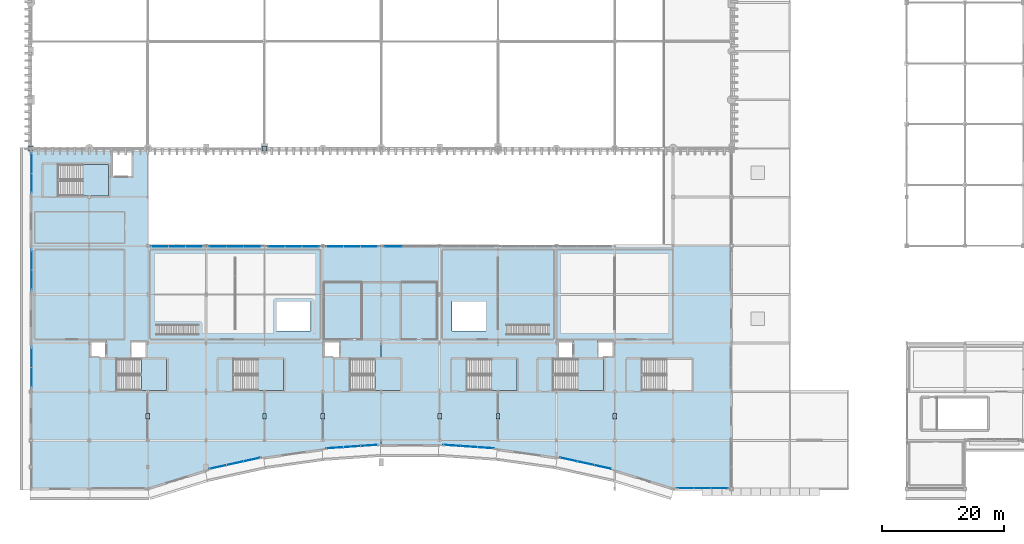
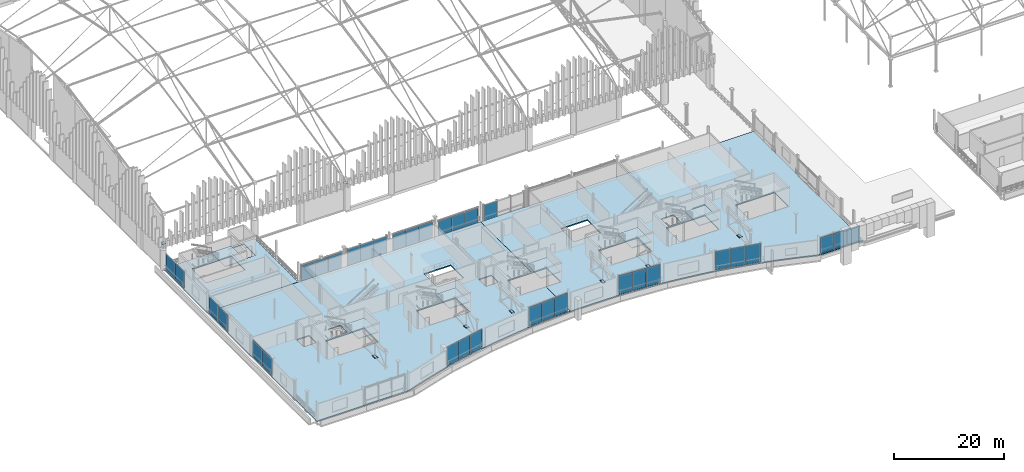
# One storey, part 145 of 193: 42 plates, 9 slabs, 19 elements without a shape of their own.
"""IFC4 building model written with IfcOpenShell, lengths in metres."""

from ifc_helpers import new_model, si_unit, direction, frame, origin, origin_2d, place, context, subcontext, project, spatial, polyline, rectangle, outline, extrude, material, layer, layer_set, type_object, element, aggregate, save


model = new_model("IFC4")

# Units and contexts
model_context = context("Model", 3, precision=1e-05, world=origin(), true_north=direction((0.0, 1.0)))
body_context = subcontext(model_context, "Body", "Model", "MODEL_VIEW")
ifc_project = project(units=[si_unit("LENGTHUNIT", "METRE"), si_unit("AREAUNIT", "SQUARE_METRE"), si_unit("VOLUMEUNIT", "CUBIC_METRE"), si_unit("PLANEANGLEUNIT", "RADIAN"), si_unit("MASSUNIT", "GRAM", prefix="KILO")], contexts=[model_context])

# Site, building, storey
site_placement = place(None, origin())
site = spatial("IfcSite", under=ifc_project, at=site_placement, CompositionType="ELEMENT")
building_placement = place(site_placement, origin())
building = spatial("IfcBuilding", under=site, at=building_placement, Name="Danafjord Basin Convention Centre", CompositionType="ELEMENT")
storey_placement = place(building_placement, frame((0.0, 0.0, 11.39990234375)))
storey = spatial("IfcBuildingStorey", under=building, at=storey_placement, Name="L02", CompositionType="ELEMENT", Elevation=11.39990234375)

# Plates
ifc_material_1 = material(Name="Steel S355", Category="steel")
ifc_layer_1 = layer(ifc_material_1, 0.06494140625)
ifc_layer_set_1 = layer_set([ifc_layer_1], Name="Steel S355")
plate_type_1 = type_object("IfcPlateType", Name="PLT-BP-65", PredefinedType="SHEET", material=ifc_layer_set_1)
for number, where, z_axis, x_axis, name in (
    (1, (0.0, 56.0, 5.667724609375), (0.0, 0.0, 1.0), (1.0, 0.0, 0.0), "V1 space-frame ring bearing plate"),
    (2, (38.39990234375, 56.0, 5.667724609375), (0.0, 0.0, 1.0), (1.0, 0.0, 0.0), "V1 space-frame ring bearing plate"),
):
    element("IfcPlate", number, at=place(storey_placement, frame(where, z_axis=z_axis, x_axis=x_axis)), inside=storey, type_object=plate_type_1, Name=name, PredefinedType="SHEET", context=body_context, shape_type="SweptSolid", body=[
        extrude(rectangle(XDim=0.75, YDim=0.75, at=origin_2d()), origin(), (0.0, 0.0, 1.0), 0.06494140625),
    ])

# Curtain wall, plates
ifc_material_2 = material(Name="Anodised aluminium and triple glazing", Category="aluminium")
curtain_wall_type_1 = type_object("IfcCurtainWallType", Name="CW-CW-HARB", PredefinedType="NOTDEFINED", material=ifc_material_2)
curtain_wall_1_placement = place(storey_placement, origin())
curtain_wall_1 = element("IfcCurtainWall", 3, at=curtain_wall_1_placement, inside=storey, type_object=curtain_wall_type_1, Name="L02 CW-HARB unitised curtain wall bay 24", PredefinedType="NOTDEFINED")
ifc_material_3 = material(Name="Triple low-E insulated glazing", Category="glass")
ifc_layer_2 = layer(ifc_material_3, 0.0380859375)
ifc_layer_set_2 = layer_set([ifc_layer_2], Name="Triple low-E insulated glazing")
plate_type_2 = type_object("IfcPlateType", Name="PLT-GP-38", PredefinedType="CURTAIN_PANEL", material=ifc_layer_set_2)
plate_1_placement = place(storey_placement, frame((49.986328125, 6.7744140625, 0.087890625), z_axis=(0.0, 0.0, 1.0), x_axis=(0.997609375858, 0.069105232798, 0.0)))
plate_1 = element("IfcPlate", 4, at=plate_1_placement, type_object=plate_type_2, Name="CW-L02-024 vision glazing unit 1", PredefinedType="CURTAIN_PANEL", context=body_context, shape_type="SweptSolid", body=[
    extrude(rectangle(XDim=2.751708984375, YDim=0.0380859375, at=origin_2d()), origin(), (0.0, 0.0, 1.0), 4.093994140625),
])
plate_2_placement = place(storey_placement, frame((52.787353515625, 6.96826171875, 0.087890625), z_axis=(0.0, 0.0, 1.0), x_axis=(0.997609375858, 0.069105232798, 0.0)))
plate_2 = element("IfcPlate", 5, at=plate_2_placement, type_object=plate_type_2, Name="CW-L02-024 vision glazing unit 2", PredefinedType="CURTAIN_PANEL", context=body_context, shape_type="SweptSolid", body=[
    extrude(rectangle(XDim=2.751708984375, YDim=0.0380859375, at=origin_2d()), origin(), (0.0, 0.0, 1.0), 4.093994140625),
])
plate_3_placement = place(storey_placement, frame((55.58837890625, 7.162353515625, 0.087890625), z_axis=(0.0, 0.0, 1.0), x_axis=(0.997609375858, 0.069105232798, 0.0)))
plate_3 = element("IfcPlate", 6, at=plate_3_placement, type_object=plate_type_2, Name="CW-L02-024 vision glazing unit 3", PredefinedType="CURTAIN_PANEL", context=body_context, shape_type="SweptSolid", body=[
    extrude(rectangle(XDim=2.751708984375, YDim=0.0380859375, at=origin_2d()), origin(), (0.0, 0.0, 1.0), 4.093994140625),
])
aggregate(curtain_wall_1, [plate_1, plate_2, plate_3])

curtain_wall_2_placement = place(storey_placement, origin())
curtain_wall_2 = element("IfcCurtainWall", 7, at=curtain_wall_2_placement, inside=storey, type_object=curtain_wall_type_1, Name="L02 CW-HARB unitised curtain wall bay 26", PredefinedType="NOTDEFINED")
plate_4_placement = place(storey_placement, frame((88.43310546875, 4.84814453125, 0.087890625), z_axis=(0.0, 0.0, 1.0), x_axis=(0.976623114167, -0.214958816695, 0.0)))
plate_4 = element("IfcPlate", 8, at=plate_4_placement, type_object=plate_type_2, Name="CW-L02-026 vision glazing unit 1", PredefinedType="CURTAIN_PANEL", context=body_context, shape_type="SweptSolid", body=[
    extrude(rectangle(XDim=2.820556640625, YDim=0.0380859375, at=origin_2d()), origin(), (0.0, 0.0, 1.0), 4.093994140625),
])
plate_5_placement = place(storey_placement, frame((91.242431640625, 4.229736328125, 0.087890625), z_axis=(0.0, 0.0, 1.0), x_axis=(0.976623114167, -0.214958816695, 0.0)))
plate_5 = element("IfcPlate", 9, at=plate_5_placement, type_object=plate_type_2, Name="CW-L02-026 vision glazing unit 2", PredefinedType="CURTAIN_PANEL", context=body_context, shape_type="SweptSolid", body=[
    extrude(rectangle(XDim=2.820556640625, YDim=0.0380859375, at=origin_2d()), origin(), (0.0, 0.0, 1.0), 4.093994140625),
])
plate_6_placement = place(storey_placement, frame((94.052001953125, 3.611328125, 0.087890625), z_axis=(0.0, 0.0, 1.0), x_axis=(0.976623114167, -0.214958816695, 0.0)))
plate_6 = element("IfcPlate", 10, at=plate_6_placement, type_object=plate_type_2, Name="CW-L02-026 vision glazing unit 3", PredefinedType="CURTAIN_PANEL", context=body_context, shape_type="SweptSolid", body=[
    extrude(rectangle(XDim=2.820556640625, YDim=0.0380859375, at=origin_2d()), origin(), (0.0, 0.0, 1.0), 4.093994140625),
])
aggregate(curtain_wall_2, [plate_4, plate_5, plate_6])

curtain_wall_type_2 = type_object("IfcCurtainWallType", Name="CW-CW-TERR", PredefinedType="NOTDEFINED", material=ifc_material_2)
curtain_wall_3_placement = place(storey_placement, origin())
curtain_wall_3 = element("IfcCurtainWall", 11, at=curtain_wall_3_placement, inside=storey, type_object=curtain_wall_type_2, Name="L02 CW-TERR unitised curtain wall bay 62", PredefinedType="NOTDEFINED")
plate_7_placement = place(storey_placement, frame((36.39990234375, 39.8798828125, 0.087890625), z_axis=(0.0, 0.0, 1.0), x_axis=(-1.0, 0.0, 0.0)))
plate_7 = element("IfcPlate", 12, at=plate_7_placement, type_object=plate_type_2, Name="CW-L02-062 vision glazing unit 1", PredefinedType="CURTAIN_PANEL", context=body_context, shape_type="SweptSolid", body=[
    extrude(rectangle(XDim=2.743896484375, YDim=0.0380859375, at=origin_2d()), origin(), (0.0, 0.0, 1.0), 3.674072265625),
])
plate_8_placement = place(storey_placement, frame((33.60009765625, 39.8798828125, 0.087890625), z_axis=(0.0, 0.0, 1.0), x_axis=(-1.0, 0.0, 0.0)))
plate_8 = element("IfcPlate", 13, at=plate_8_placement, type_object=plate_type_2, Name="CW-L02-062 vision glazing unit 2", PredefinedType="CURTAIN_PANEL", context=body_context, shape_type="SweptSolid", body=[
    extrude(rectangle(XDim=2.743896484375, YDim=0.0380859375, at=origin_2d()), origin(), (0.0, 0.0, 1.0), 3.674072265625),
])
plate_9_placement = place(storey_placement, frame((30.800048828125, 39.8798828125, 0.087890625), z_axis=(0.0, 0.0, 1.0), x_axis=(-1.0, 0.0, 0.0)))
plate_9 = element("IfcPlate", 14, at=plate_9_placement, type_object=plate_type_2, Name="CW-L02-062 vision glazing unit 3", PredefinedType="CURTAIN_PANEL", context=body_context, shape_type="SweptSolid", body=[
    extrude(rectangle(XDim=2.743896484375, YDim=0.0380859375, at=origin_2d()), origin(), (0.0, 0.0, 1.0), 3.674072265625),
])
aggregate(curtain_wall_3, [plate_7, plate_8, plate_9])

curtain_wall_4_placement = place(storey_placement, origin())
curtain_wall_4 = element("IfcCurtainWall", 15, at=curtain_wall_4_placement, inside=storey, type_object=curtain_wall_type_2, Name="L02 CW-TERR unitised curtain wall bay 64", PredefinedType="NOTDEFINED")
plate_10_placement = place(storey_placement, frame((55.60009765625, 39.8798828125, 0.088134765625), z_axis=(0.0, 0.0, 1.0), x_axis=(-1.0, 0.0, 0.0)))
plate_10 = element("IfcPlate", 16, at=plate_10_placement, type_object=plate_type_2, Name="CW-L02-064 vision glazing unit 1", PredefinedType="CURTAIN_PANEL", context=body_context, shape_type="SweptSolid", body=[
    extrude(rectangle(XDim=2.743896484375, YDim=0.0380859375, at=origin_2d()), origin(), (0.0, 0.0, 1.0), 3.27392578125),
])
plate_11_placement = place(storey_placement, frame((52.800048828125, 39.8798828125, 0.088134765625), z_axis=(0.0, 0.0, 1.0), x_axis=(-1.0, 0.0, 0.0)))
plate_11 = element("IfcPlate", 17, at=plate_11_placement, type_object=plate_type_2, Name="CW-L02-064 vision glazing unit 2", PredefinedType="CURTAIN_PANEL", context=body_context, shape_type="SweptSolid", body=[
    extrude(rectangle(XDim=2.743896484375, YDim=0.0380859375, at=origin_2d()), origin(), (0.0, 0.0, 1.0), 3.27392578125),
])
plate_12_placement = place(storey_placement, frame((50.0, 39.8798828125, 0.088134765625), z_axis=(0.0, 0.0, 1.0), x_axis=(-1.0, 0.0, 0.0)))
plate_12 = element("IfcPlate", 18, at=plate_12_placement, type_object=plate_type_2, Name="CW-L02-064 vision glazing unit 3", PredefinedType="CURTAIN_PANEL", context=body_context, shape_type="SweptSolid", body=[
    extrude(rectangle(XDim=2.743896484375, YDim=0.0380859375, at=origin_2d()), origin(), (0.0, 0.0, 1.0), 3.27392578125),
])
aggregate(curtain_wall_4, [plate_10, plate_11, plate_12])

curtain_wall_5_placement = place(storey_placement, origin())
curtain_wall_5 = element("IfcCurtainWall", 19, at=curtain_wall_5_placement, inside=storey, type_object=curtain_wall_type_2, Name="L02 CW-TERR unitised curtain wall bay 70", PredefinedType="NOTDEFINED")
plate_13_placement = place(storey_placement, frame((0.1201171875, 37.699951171875, 0.087890625), z_axis=(0.0, 0.0, 1.0), x_axis=(0.0, -1.0, 0.0)))
plate_13 = element("IfcPlate", 20, at=plate_13_placement, type_object=plate_type_2, Name="CW-L02-070 vision glazing unit 1", PredefinedType="CURTAIN_PANEL", context=body_context, shape_type="SweptSolid", body=[
    extrude(rectangle(XDim=3.343994140625, YDim=0.0380859375, at=origin_2d()), origin(), (0.0, 0.0, 1.0), 3.674072265625),
])
plate_14_placement = place(storey_placement, frame((0.1201171875, 34.300048828125, 0.087890625), z_axis=(0.0, 0.0, 1.0), x_axis=(0.0, -1.0, 0.0)))
plate_14 = element("IfcPlate", 21, at=plate_14_placement, type_object=plate_type_2, Name="CW-L02-070 vision glazing unit 2", PredefinedType="CURTAIN_PANEL", context=body_context, shape_type="SweptSolid", body=[
    extrude(rectangle(XDim=3.343994140625, YDim=0.0380859375, at=origin_2d()), origin(), (0.0, 0.0, 1.0), 3.674072265625),
])
aggregate(curtain_wall_5, [plate_13, plate_14])

curtain_wall_6_placement = place(storey_placement, origin())
curtain_wall_6 = element("IfcCurtainWall", 22, at=curtain_wall_6_placement, inside=storey, type_object=curtain_wall_type_1, Name="L02 CW-HARB unitised curtain wall bay 23", PredefinedType="NOTDEFINED")
ifc_layer_3 = layer(ifc_material_3, 0.048095703125)
ifc_layer_set_3 = layer_set([ifc_layer_3], Name="Triple low-E insulated glazing")
plate_type_3 = type_object("IfcPlateType", Name="PLT-GP-48", PredefinedType="CURTAIN_PANEL", material=ifc_layer_set_3)
plate_15_placement = place(storey_placement, frame((30.748291015625, 3.611572265625, 0.087890625), z_axis=(0.0, 0.0, 1.0), x_axis=(0.976623114167, 0.214958816695, 0.0)))
plate_15 = element("IfcPlate", 23, at=plate_15_placement, type_object=plate_type_3, Name="CW-L02-023 vision glazing unit 1", PredefinedType="CURTAIN_PANEL", context=body_context, shape_type="SweptSolid", body=[
    extrude(rectangle(XDim=2.820556640625, YDim=0.048095703125, at=origin_2d()), origin(), (0.0, 0.0, 1.0), 4.093994140625),
])
plate_16_placement = place(storey_placement, frame((33.5576171875, 4.229736328125, 0.087890625), z_axis=(0.0, 0.0, 1.0), x_axis=(0.976623114167, 0.214958816695, 0.0)))
plate_16 = element("IfcPlate", 24, at=plate_16_placement, type_object=plate_type_3, Name="CW-L02-023 vision glazing unit 2", PredefinedType="CURTAIN_PANEL", context=body_context, shape_type="SweptSolid", body=[
    extrude(rectangle(XDim=2.820556640625, YDim=0.048095703125, at=origin_2d()), origin(), (0.0, 0.0, 1.0), 4.093994140625),
])
plate_17_placement = place(storey_placement, frame((36.366943359375, 4.84814453125, 0.087890625), z_axis=(0.0, 0.0, 1.0), x_axis=(0.976623114167, 0.214958816695, 0.0)))
plate_17 = element("IfcPlate", 25, at=plate_17_placement, type_object=plate_type_3, Name="CW-L02-023 vision glazing unit 3", PredefinedType="CURTAIN_PANEL", context=body_context, shape_type="SweptSolid", body=[
    extrude(rectangle(XDim=2.820556640625, YDim=0.048095703125, at=origin_2d()), origin(), (0.0, 0.0, 1.0), 4.093994140625),
])
aggregate(curtain_wall_6, [plate_15, plate_16, plate_17])

curtain_wall_7_placement = place(storey_placement, origin())
curtain_wall_7 = element("IfcCurtainWall", 26, at=curtain_wall_7_placement, inside=storey, type_object=curtain_wall_type_1, Name="L02 CW-HARB unitised curtain wall bay 25", PredefinedType="NOTDEFINED")
plate_18_placement = place(storey_placement, frame((69.2119140625, 7.162353515625, 0.087890625), z_axis=(0.0, 0.0, 1.0), x_axis=(0.997609375858, -0.069105232798, 0.0)))
plate_18 = element("IfcPlate", 27, at=plate_18_placement, type_object=plate_type_3, Name="CW-L02-025 vision glazing unit 1", PredefinedType="CURTAIN_PANEL", context=body_context, shape_type="SweptSolid", body=[
    extrude(rectangle(XDim=2.751708984375, YDim=0.048095703125, at=origin_2d()), origin(), (0.0, 0.0, 1.0), 4.093994140625),
])
plate_19_placement = place(storey_placement, frame((72.0126953125, 6.96826171875, 0.087890625), z_axis=(0.0, 0.0, 1.0), x_axis=(0.997609375858, -0.069105232798, 0.0)))
plate_19 = element("IfcPlate", 28, at=plate_19_placement, type_object=plate_type_3, Name="CW-L02-025 vision glazing unit 2", PredefinedType="CURTAIN_PANEL", context=body_context, shape_type="SweptSolid", body=[
    extrude(rectangle(XDim=2.751708984375, YDim=0.048095703125, at=origin_2d()), origin(), (0.0, 0.0, 1.0), 4.093994140625),
])
plate_20_placement = place(storey_placement, frame((74.813720703125, 6.774169921875, 0.087890625), z_axis=(0.0, 0.0, 1.0), x_axis=(0.997609375858, -0.069105232798, 0.0)))
plate_20 = element("IfcPlate", 29, at=plate_20_placement, type_object=plate_type_3, Name="CW-L02-025 vision glazing unit 3", PredefinedType="CURTAIN_PANEL", context=body_context, shape_type="SweptSolid", body=[
    extrude(rectangle(XDim=2.751708984375, YDim=0.048095703125, at=origin_2d()), origin(), (0.0, 0.0, 1.0), 4.093994140625),
])
aggregate(curtain_wall_7, [plate_18, plate_19, plate_20])

curtain_wall_8_placement = place(storey_placement, origin())
curtain_wall_8 = element("IfcCurtainWall", 30, at=curtain_wall_8_placement, inside=storey, type_object=curtain_wall_type_1, Name="L02 CW-HARB unitised curtain wall bay 27", PredefinedType="NOTDEFINED")
plate_21_placement = place(storey_placement, frame((107.60009765625, 0.1201171875, 0.087890625), z_axis=(0.0, 0.0, 1.0), x_axis=(1.0, 0.0, 0.0)))
plate_21 = element("IfcPlate", 31, at=plate_21_placement, type_object=plate_type_3, Name="CW-L02-027 vision glazing unit 1", PredefinedType="CURTAIN_PANEL", context=body_context, shape_type="SweptSolid", body=[
    extrude(rectangle(XDim=2.743896484375, YDim=0.048095703125, at=origin_2d()), origin(), (0.0, 0.0, 1.0), 3.427978515625),
])
plate_22_placement = place(storey_placement, frame((110.39990234375, 0.1201171875, 0.087890625), z_axis=(0.0, 0.0, 1.0), x_axis=(1.0, 0.0, 0.0)))
plate_22 = element("IfcPlate", 32, at=plate_22_placement, type_object=plate_type_3, Name="CW-L02-027 vision glazing unit 2", PredefinedType="CURTAIN_PANEL", context=body_context, shape_type="SweptSolid", body=[
    extrude(rectangle(XDim=2.743896484375, YDim=0.048095703125, at=origin_2d()), origin(), (0.0, 0.0, 1.0), 3.427978515625),
])
plate_23_placement = place(storey_placement, frame((113.199951171875, 0.1201171875, 0.087890625), z_axis=(0.0, 0.0, 1.0), x_axis=(1.0, 0.0, 0.0)))
plate_23 = element("IfcPlate", 33, at=plate_23_placement, type_object=plate_type_3, Name="CW-L02-027 vision glazing unit 3", PredefinedType="CURTAIN_PANEL", context=body_context, shape_type="SweptSolid", body=[
    extrude(rectangle(XDim=2.743896484375, YDim=0.048095703125, at=origin_2d()), origin(), (0.0, 0.0, 1.0), 3.427978515625),
])
aggregate(curtain_wall_8, [plate_21, plate_22, plate_23])

curtain_wall_9_placement = place(storey_placement, origin())
curtain_wall_9 = element("IfcCurtainWall", 34, at=curtain_wall_9_placement, inside=storey, type_object=curtain_wall_type_2, Name="L02 CW-TERR unitised curtain wall bay 61", PredefinedType="NOTDEFINED")
plate_24_placement = place(storey_placement, frame((26.800048828125, 39.8798828125, 0.087890625), z_axis=(0.0, 0.0, 1.0), x_axis=(-1.0, 0.0, 0.0)))
plate_24 = element("IfcPlate", 35, at=plate_24_placement, type_object=plate_type_3, Name="CW-L02-061 vision glazing unit 1", PredefinedType="CURTAIN_PANEL", context=body_context, shape_type="SweptSolid", body=[
    extrude(rectangle(XDim=2.743896484375, YDim=0.048095703125, at=origin_2d()), origin(), (0.0, 0.0, 1.0), 3.424072265625),
])
plate_25_placement = place(storey_placement, frame((24.0, 39.8798828125, 0.087890625), z_axis=(0.0, 0.0, 1.0), x_axis=(-1.0, 0.0, 0.0)))
plate_25 = element("IfcPlate", 36, at=plate_25_placement, type_object=plate_type_3, Name="CW-L02-061 vision glazing unit 2", PredefinedType="CURTAIN_PANEL", context=body_context, shape_type="SweptSolid", body=[
    extrude(rectangle(XDim=2.743896484375, YDim=0.048095703125, at=origin_2d()), origin(), (0.0, 0.0, 1.0), 3.424072265625),
])
plate_26_placement = place(storey_placement, frame((21.199951171875, 39.8798828125, 0.087890625), z_axis=(0.0, 0.0, 1.0), x_axis=(-1.0, 0.0, 0.0)))
plate_26 = element("IfcPlate", 37, at=plate_26_placement, type_object=plate_type_3, Name="CW-L02-061 vision glazing unit 3", PredefinedType="CURTAIN_PANEL", context=body_context, shape_type="SweptSolid", body=[
    extrude(rectangle(XDim=2.743896484375, YDim=0.048095703125, at=origin_2d()), origin(), (0.0, 0.0, 1.0), 3.424072265625),
])
aggregate(curtain_wall_9, [plate_24, plate_25, plate_26])

curtain_wall_10_placement = place(storey_placement, origin())
curtain_wall_10 = element("IfcCurtainWall", 38, at=curtain_wall_10_placement, inside=storey, type_object=curtain_wall_type_2, Name="L02 CW-TERR unitised curtain wall bay 63", PredefinedType="NOTDEFINED")
plate_27_placement = place(storey_placement, frame((46.0, 39.8798828125, 0.088134765625), z_axis=(0.0, 0.0, 1.0), x_axis=(-1.0, 0.0, 0.0)))
plate_27 = element("IfcPlate", 39, at=plate_27_placement, type_object=plate_type_3, Name="CW-L02-063 vision glazing unit 1", PredefinedType="CURTAIN_PANEL", context=body_context, shape_type="SweptSolid", body=[
    extrude(rectangle(XDim=2.743896484375, YDim=0.048095703125, at=origin_2d()), origin(), (0.0, 0.0, 1.0), 3.6240234375),
])
plate_28_placement = place(storey_placement, frame((43.199951171875, 39.8798828125, 0.088134765625), z_axis=(0.0, 0.0, 1.0), x_axis=(-1.0, 0.0, 0.0)))
plate_28 = element("IfcPlate", 40, at=plate_28_placement, type_object=plate_type_3, Name="CW-L02-063 vision glazing unit 2", PredefinedType="CURTAIN_PANEL", context=body_context, shape_type="SweptSolid", body=[
    extrude(rectangle(XDim=2.743896484375, YDim=0.048095703125, at=origin_2d()), origin(), (0.0, 0.0, 1.0), 3.6240234375),
])
plate_29_placement = place(storey_placement, frame((40.39990234375, 39.8798828125, 0.088134765625), z_axis=(0.0, 0.0, 1.0), x_axis=(-1.0, 0.0, 0.0)))
plate_29 = element("IfcPlate", 41, at=plate_29_placement, type_object=plate_type_3, Name="CW-L02-063 vision glazing unit 3", PredefinedType="CURTAIN_PANEL", context=body_context, shape_type="SweptSolid", body=[
    extrude(rectangle(XDim=2.743896484375, YDim=0.048095703125, at=origin_2d()), origin(), (0.0, 0.0, 1.0), 3.6240234375),
])
aggregate(curtain_wall_10, [plate_27, plate_28, plate_29])

# Curtain wall, plate
curtain_wall_11_placement = place(storey_placement, origin())
curtain_wall_11 = element("IfcCurtainWall", 42, at=curtain_wall_11_placement, inside=storey, type_object=curtain_wall_type_2, Name="L02 CW-TERR unitised curtain wall bay 65", PredefinedType="NOTDEFINED")
plate_30_placement = place(storey_placement, frame((59.60009765625, 39.8798828125, 0.087890625), z_axis=(0.0, 0.0, 1.0), x_axis=(-1.0, 0.0, 0.0)))
plate_30 = element("IfcPlate", 43, at=plate_30_placement, type_object=plate_type_3, Name="CW-L02-065 vision glazing unit 3", PredefinedType="CURTAIN_PANEL", context=body_context, shape_type="SweptSolid", body=[
    extrude(rectangle(XDim=2.743896484375, YDim=0.048095703125, at=origin_2d()), origin(), (0.0, 0.0, 1.0), 3.424072265625),
])
aggregate(curtain_wall_11, [plate_30])

# Curtain wall, plates
curtain_wall_12_placement = place(storey_placement, origin())
curtain_wall_12 = element("IfcCurtainWall", 44, at=curtain_wall_12_placement, inside=storey, type_object=curtain_wall_type_2, Name="L02 CW-TERR unitised curtain wall bay 69", PredefinedType="NOTDEFINED")
plate_31_placement = place(storey_placement, frame((0.1201171875, 21.699951171875, 0.087890625), z_axis=(0.0, 0.0, 1.0), x_axis=(0.0, -1.0, 0.0)))
plate_31 = element("IfcPlate", 45, at=plate_31_placement, type_object=plate_type_3, Name="CW-L02-069 vision glazing unit 1", PredefinedType="CURTAIN_PANEL", context=body_context, shape_type="SweptSolid", body=[
    extrude(rectangle(XDim=3.343994140625, YDim=0.048095703125, at=origin_2d()), origin(), (0.0, 0.0, 1.0), 3.674072265625),
])
plate_32_placement = place(storey_placement, frame((0.1201171875, 18.300048828125, 0.087890625), z_axis=(0.0, 0.0, 1.0), x_axis=(0.0, -1.0, 0.0)))
plate_32 = element("IfcPlate", 46, at=plate_32_placement, type_object=plate_type_3, Name="CW-L02-069 vision glazing unit 2", PredefinedType="CURTAIN_PANEL", context=body_context, shape_type="SweptSolid", body=[
    extrude(rectangle(XDim=3.343994140625, YDim=0.048095703125, at=origin_2d()), origin(), (0.0, 0.0, 1.0), 3.674072265625),
])
aggregate(curtain_wall_12, [plate_31, plate_32])

curtain_wall_13_placement = place(storey_placement, origin())
curtain_wall_13 = element("IfcCurtainWall", 47, at=curtain_wall_13_placement, inside=storey, type_object=curtain_wall_type_2, Name="L02 CW-TERR unitised curtain wall bay 71", PredefinedType="NOTDEFINED")
plate_33_placement = place(storey_placement, frame((0.1201171875, 53.550048828125, 0.087890625), z_axis=(0.0, 0.0, 1.0), x_axis=(0.0, -1.0, 0.0)))
plate_33 = element("IfcPlate", 48, at=plate_33_placement, type_object=plate_type_3, Name="CW-L02-071 vision glazing unit 1", PredefinedType="CURTAIN_PANEL", context=body_context, shape_type="SweptSolid", body=[
    extrude(rectangle(XDim=3.243896484375, YDim=0.048095703125, at=origin_2d()), origin(), (0.0, 0.0, 1.0), 3.674072265625),
])
plate_34_placement = place(storey_placement, frame((0.1201171875, 50.25, 0.087890625), z_axis=(0.0, 0.0, 1.0), x_axis=(0.0, -1.0, 0.0)))
plate_34 = element("IfcPlate", 49, at=plate_34_placement, type_object=plate_type_3, Name="CW-L02-071 vision glazing unit 2", PredefinedType="CURTAIN_PANEL", context=body_context, shape_type="SweptSolid", body=[
    extrude(rectangle(XDim=3.243896484375, YDim=0.048095703125, at=origin_2d()), origin(), (0.0, 0.0, 1.0), 3.674072265625),
])
aggregate(curtain_wall_13, [plate_33, plate_34])

# Plates
ifc_layer_4 = layer(ifc_material_1, 0.02197265625)
ifc_layer_set_4 = layer_set([ifc_layer_4], Name="Steel S355")
plate_type_4 = type_object("IfcPlateType", Name="PLT-TN-22", PredefinedType="SHEET", material=ifc_layer_set_4)
for number, where, z_axis, x_axis, name in (
    (50, (38.39990234375, 12.0, 0.339111328125), (0.0, 0.0, 1.0), (1.0, 0.0, 0.0), "Transfer truss TT-02 gusset plate TN-22"),
    (51, (67.199951171875, 12.0, 0.339111328125), (0.0, 0.0, 1.0), (1.0, 0.0, 0.0), "Transfer truss TT-04 gusset plate TN-22"),
    (52, (96.0, 12.0, 0.339111328125), (0.0, 0.0, 1.0), (1.0, 0.0, 0.0), "Transfer truss TT-06 gusset plate TN-22"),
):
    element("IfcPlate", number, at=place(storey_placement, frame(where, z_axis=z_axis, x_axis=x_axis)), inside=storey, type_object=plate_type_4, Name=name, PredefinedType="SHEET", context=body_context, shape_type="SweptSolid", body=[
        extrude(rectangle(XDim=0.56005859375, YDim=0.89990234375, at=origin_2d()), origin(), (0.0, 0.0, 1.0), 0.02197265625),
    ])
ifc_layer_5 = layer(ifc_material_1, 0.030029296875)
ifc_layer_set_5 = layer_set([ifc_layer_5], Name="Steel S355")
plate_type_5 = type_object("IfcPlateType", Name="PLT-TN-30", PredefinedType="SHEET", material=ifc_layer_set_5)
for number, where, z_axis, x_axis, name in (
    (53, (19.199951171875, 12.0, 0.3349609375), (0.0, 0.0, 1.0), (1.0, 0.0, 0.0), "Transfer truss TT-01 gusset plate TN-30"),
    (54, (48.0, 12.0, 0.3349609375), (0.0, 0.0, 1.0), (1.0, 0.0, 0.0), "Transfer truss TT-03 gusset plate TN-30"),
    (55, (76.800048828125, 12.0, 0.3349609375), (0.0, 0.0, 1.0), (1.0, 0.0, 0.0), "Transfer truss TT-05 gusset plate TN-30"),
):
    element("IfcPlate", number, at=place(storey_placement, frame(where, z_axis=z_axis, x_axis=x_axis)), inside=storey, type_object=plate_type_5, Name=name, PredefinedType="SHEET", context=body_context, shape_type="SweptSolid", body=[
        extrude(rectangle(XDim=0.56005859375, YDim=0.89990234375, at=origin_2d()), origin(), (0.0, 0.0, 1.0), 0.030029296875),
    ])

# Slabs
ifc_material_4 = material(Name="Concrete C35/45", Category="concrete")
ifc_layer_6 = layer(ifc_material_4, 0.22998046875)
ifc_layer_set_6 = layer_set([ifc_layer_6], Name="Concrete C35/45")
slab_type_1 = type_object("IfcSlabType", Name="SLAB-FS-230", PredefinedType="FLOOR", material=ifc_layer_set_6)
slab_1_placement = place(storey_placement, frame((0.0, 0.0, -0.22998046875)))
element("IfcSlab", 56, at=slab_1_placement, inside=storey, type_object=slab_type_1, Name="L02 FS-230 slab SL-L02-V4LW", PredefinedType="FLOOR", context=body_context, shape_type="SweptSolid", body=[
    extrude(outline(polyline([(0.0, 56.0), (19.199951171875, 56.0), (19.199951171875, 40.0), (0.0, 40.0), (0.0, 56.0)]), holes=[polyline([(16.699951171875, 51.300048828125), (16.699951171875, 55.5), (13.300048828125, 55.5), (13.300048828125, 51.300048828125), (16.699951171875, 51.300048828125)]), polyline([(4.530029296875, 48.2099609375), (12.72998046875, 48.2099609375), (12.72998046875, 53.35009765625), (4.530029296875, 53.35009765625), (4.530029296875, 48.2099609375)])]), origin(), (0.0, 0.0, 1.0), 0.22998046875),
])
ifc_layer_7 = layer(ifc_material_4, 0.25)
ifc_layer_set_7 = layer_set([ifc_layer_7], Name="Concrete C35/45")
slab_type_2 = type_object("IfcSlabType", Name="SLAB-FS-250", PredefinedType="FLOOR", material=ifc_layer_set_7)
slab_2_placement = place(storey_placement, frame((0.0, 0.0, -0.25)))
element("IfcSlab", 57, at=slab_2_placement, inside=storey, type_object=slab_type_2, Name="L02 FS-250 slab SL-L02-V4W", PredefinedType="FLOOR", context=body_context, shape_type="SweptSolid", body=[
    extrude(outline(polyline([(57.60009765625, 40.0), (57.60009765625, 21.35009765625), (52.530029296875, 21.35009765625), (52.530029296875, 16.2099609375), (57.60009765625, 16.2099609375), (57.60009765625, 7.116943359375), (55.199951171875, 7.013916015625), (52.800048828125, 6.868896484375), (50.39990234375, 6.681884765625), (48.0, 6.451904296875), (45.60009765625, 6.178955078125), (43.199951171875, 5.862060546875), (40.800048828125, 5.5009765625), (38.39990234375, 5.093017578125), (36.0, 4.638916015625), (33.60009765625, 4.136962890625), (31.199951171875, 3.583984375), (28.800048828125, 2.97998046875), (26.39990234375, 2.322021484375), (24.0, 1.60791015625), (21.60009765625, 0.8349609375), (19.199951171875, 0.0), (0.0, 0.0), (0.0, 40.0), (57.60009765625, 40.0)]), holes=[polyline([(50.800048828125, 24.300048828125), (48.199951171875, 24.300048828125), (48.199951171875, 21.699951171875), (50.800048828125, 21.699951171875), (50.800048828125, 24.300048828125)]), polyline([(46.0, 30.800048828125), (40.39990234375, 30.800048828125), (40.39990234375, 26.0), (46.0, 26.0), (46.0, 30.800048828125)]), polyline([(41.530029296875, 21.35009765625), (33.330078125, 21.35009765625), (33.330078125, 16.2099609375), (41.530029296875, 16.2099609375), (41.530029296875, 21.35009765625)]), polyline([(14.1298828125, 16.2099609375), (22.330078125, 16.2099609375), (22.330078125, 21.35009765625), (14.1298828125, 21.35009765625), (14.1298828125, 16.2099609375)]), polyline([(16.39990234375, 21.699951171875), (19.0, 21.699951171875), (19.0, 24.300048828125), (16.39990234375, 24.300048828125), (16.39990234375, 21.699951171875)]), polyline([(12.39990234375, 24.300048828125), (9.800048828125, 24.300048828125), (9.800048828125, 21.699951171875), (12.39990234375, 21.699951171875), (12.39990234375, 24.300048828125)])]), origin(), (0.0, 0.0, 1.0), 0.25),
])
slab_3_placement = place(storey_placement, frame((0.0, 0.0, -0.25)))
element("IfcSlab", 58, at=slab_3_placement, inside=storey, type_object=slab_type_2, Name="L02 FS-250 slab SL-L02-V4E", PredefinedType="FLOOR", context=body_context, shape_type="SweptSolid", body=[
    extrude(outline(polyline([(60.72998046875, 16.2099609375), (60.72998046875, 21.35009765625), (57.60009765625, 21.35009765625), (57.60009765625, 40.0), (115.199951171875, 40.0), (115.199951171875, 0.0), (105.60009765625, 0.0), (103.199951171875, 0.8349609375), (100.800048828125, 1.60791015625), (98.39990234375, 2.322021484375), (96.0, 2.97998046875), (93.60009765625, 3.583984375), (91.199951171875, 4.136962890625), (88.800048828125, 4.638916015625), (86.39990234375, 5.093017578125), (84.0, 5.5009765625), (81.60009765625, 5.862060546875), (79.199951171875, 6.178955078125), (76.800048828125, 6.451904296875), (74.39990234375, 6.681884765625), (72.0, 6.868896484375), (69.60009765625, 7.013916015625), (67.199951171875, 7.116943359375), (64.800048828125, 7.178955078125), (62.39990234375, 7.199951171875), (60.0, 7.178955078125), (57.60009765625, 7.116943359375), (57.60009765625, 16.2099609375), (60.72998046875, 16.2099609375)]), holes=[polyline([(108.72998046875, 21.35009765625), (100.530029296875, 21.35009765625), (100.530029296875, 16.2099609375), (108.72998046875, 16.2099609375), (108.72998046875, 21.35009765625)]), polyline([(95.800048828125, 24.300048828125), (93.199951171875, 24.300048828125), (93.199951171875, 21.699951171875), (95.800048828125, 21.699951171875), (95.800048828125, 24.300048828125)]), polyline([(94.1298828125, 21.35009765625), (85.929931640625, 21.35009765625), (85.929931640625, 16.2099609375), (94.1298828125, 16.2099609375), (94.1298828125, 21.35009765625)]), polyline([(86.60009765625, 24.300048828125), (86.60009765625, 21.699951171875), (89.199951171875, 21.699951171875), (89.199951171875, 24.300048828125), (86.60009765625, 24.300048828125)]), polyline([(71.72998046875, 16.2099609375), (79.929931640625, 16.2099609375), (79.929931640625, 21.35009765625), (71.72998046875, 21.35009765625), (71.72998046875, 16.2099609375)]), polyline([(74.800048828125, 30.800048828125), (69.199951171875, 30.800048828125), (69.199951171875, 26.0), (74.800048828125, 26.0), (74.800048828125, 30.800048828125)])]), origin(), (0.0, 0.0, 1.0), 0.25),
])

# Stair, slab
ifc_material_5 = material(Name="Concrete C40/50", Category="concrete")
stair_type = type_object("IfcStairType", Name="STAIR-STR-C01", PredefinedType="TWO_STRAIGHT_RUN_STAIR", material=ifc_material_5)
stair_1_placement = place(storey_placement, origin())
stair_1 = element("IfcStair", 59, at=stair_1_placement, inside=storey, type_object=stair_type, Name="L02 West Harbour Core Stair 1", PredefinedType="HALF_TURN_STAIR")
ifc_layer_8 = layer(ifc_material_5, 0.199951171875)
ifc_layer_set_8 = layer_set([ifc_layer_8], Name="Concrete C40/50")
slab_type_3 = type_object("IfcSlabType", Name="SLAB-LAND-200", PredefinedType="LANDING", material=ifc_layer_set_8)
slab_4_placement = place(storey_placement, frame((0.0, 0.0, 2.050048828125)))
slab_4 = element("IfcSlab", 60, at=slab_4_placement, type_object=slab_type_3, Name="ST-01 landing 1", PredefinedType="LANDING", context=body_context, shape_type="SweptSolid", body=[
    extrude(outline(polyline([(18.14501953125, 16.2099609375), (22.330078125, 16.2099609375), (22.330078125, 21.35009765625), (18.14501953125, 21.35009765625), (18.14501953125, 16.2099609375)])), origin(), (0.0, 0.0, 1.0), 0.199951171875),
])
aggregate(stair_1, [slab_4])

stair_2_placement = place(storey_placement, origin())
stair_2 = element("IfcStair", 61, at=stair_2_placement, inside=storey, type_object=stair_type, Name="L02 Central Harbour Core Stair 1", PredefinedType="HALF_TURN_STAIR")
slab_5_placement = place(storey_placement, frame((0.0, 0.0, 2.050048828125)))
slab_5 = element("IfcSlab", 62, at=slab_5_placement, type_object=slab_type_3, Name="ST-03 landing 1", PredefinedType="LANDING", context=body_context, shape_type="SweptSolid", body=[
    extrude(outline(polyline([(89.945068359375, 16.2099609375), (94.1298828125, 16.2099609375), (94.1298828125, 21.35009765625), (89.945068359375, 21.35009765625), (89.945068359375, 16.2099609375)])), origin(), (0.0, 0.0, 1.0), 0.199951171875),
])
aggregate(stair_2, [slab_5])

stair_3_placement = place(storey_placement, origin())
stair_3 = element("IfcStair", 63, at=stair_3_placement, inside=storey, type_object=stair_type, Name="L02 Mid-Arc Meeting Core Stair 1", PredefinedType="HALF_TURN_STAIR")
slab_6_placement = place(storey_placement, frame((0.0, 0.0, 2.050048828125)))
slab_6 = element("IfcSlab", 64, at=slab_6_placement, type_object=slab_type_3, Name="ST-05 landing 1", PredefinedType="LANDING", context=body_context, shape_type="SweptSolid", body=[
    extrude(outline(polyline([(56.544921875, 16.2099609375), (60.72998046875, 16.2099609375), (60.72998046875, 21.35009765625), (56.544921875, 21.35009765625), (56.544921875, 16.2099609375)])), origin(), (0.0, 0.0, 1.0), 0.199951171875),
])
aggregate(stair_3, [slab_6])

stair_4_placement = place(storey_placement, origin())
stair_4 = element("IfcStair", 65, at=stair_4_placement, inside=storey, type_object=stair_type, Name="L02 West Exhibition Core Stair 1", PredefinedType="HALF_TURN_STAIR")
slab_7_placement = place(storey_placement, frame((0.0, 0.0, 2.050048828125)))
slab_7 = element("IfcSlab", 66, at=slab_7_placement, type_object=slab_type_3, Name="ST-07 landing 1", PredefinedType="LANDING", context=body_context, shape_type="SweptSolid", body=[
    extrude(outline(polyline([(8.544921875, 48.2099609375), (12.72998046875, 48.2099609375), (12.72998046875, 53.35009765625), (8.544921875, 53.35009765625), (8.544921875, 48.2099609375)])), origin(), (0.0, 0.0, 1.0), 0.199951171875),
])
aggregate(stair_4, [slab_7])

stair_5_placement = place(storey_placement, origin())
stair_5 = element("IfcStair", 67, at=stair_5_placement, inside=storey, type_object=stair_type, Name="L02 West Harbour Escape Stair 2", PredefinedType="HALF_TURN_STAIR")
slab_8_placement = place(storey_placement, frame((0.0, 0.0, 2.050048828125)))
slab_8 = element("IfcSlab", 68, at=slab_8_placement, type_object=slab_type_3, Name="ST-02 landing 1", PredefinedType="LANDING", context=body_context, shape_type="SweptSolid", body=[
    extrude(outline(polyline([(37.344970703125, 16.2099609375), (41.530029296875, 16.2099609375), (41.530029296875, 21.35009765625), (37.344970703125, 21.35009765625), (37.344970703125, 16.2099609375)])), origin(), (0.0, 0.0, 1.0), 0.199951171875),
])
aggregate(stair_5, [slab_8])

stair_6_placement = place(storey_placement, origin())
stair_6 = element("IfcStair", 69, at=stair_6_placement, inside=storey, type_object=stair_type, Name="L02 Mid-Arc Escape Stair 2", PredefinedType="HALF_TURN_STAIR")
slab_9_placement = place(storey_placement, frame((0.0, 0.0, 2.050048828125)))
slab_9 = element("IfcSlab", 70, at=slab_9_placement, type_object=slab_type_3, Name="ST-06 landing 1", PredefinedType="LANDING", context=body_context, shape_type="SweptSolid", body=[
    extrude(outline(polyline([(75.7451171875, 16.2099609375), (79.929931640625, 16.2099609375), (79.929931640625, 21.35009765625), (75.7451171875, 21.35009765625), (75.7451171875, 16.2099609375)])), origin(), (0.0, 0.0, 1.0), 0.199951171875),
])
aggregate(stair_6, [slab_9])

save(model, "model.ifc")
